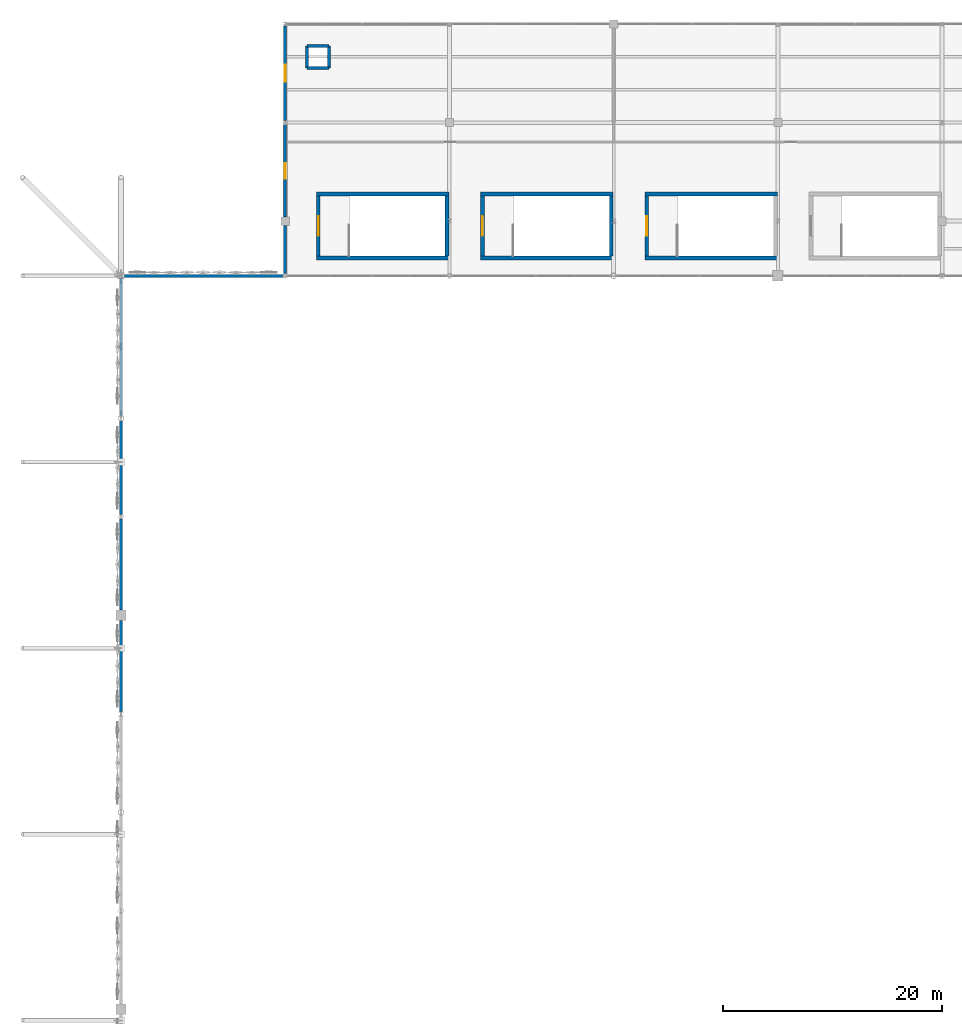
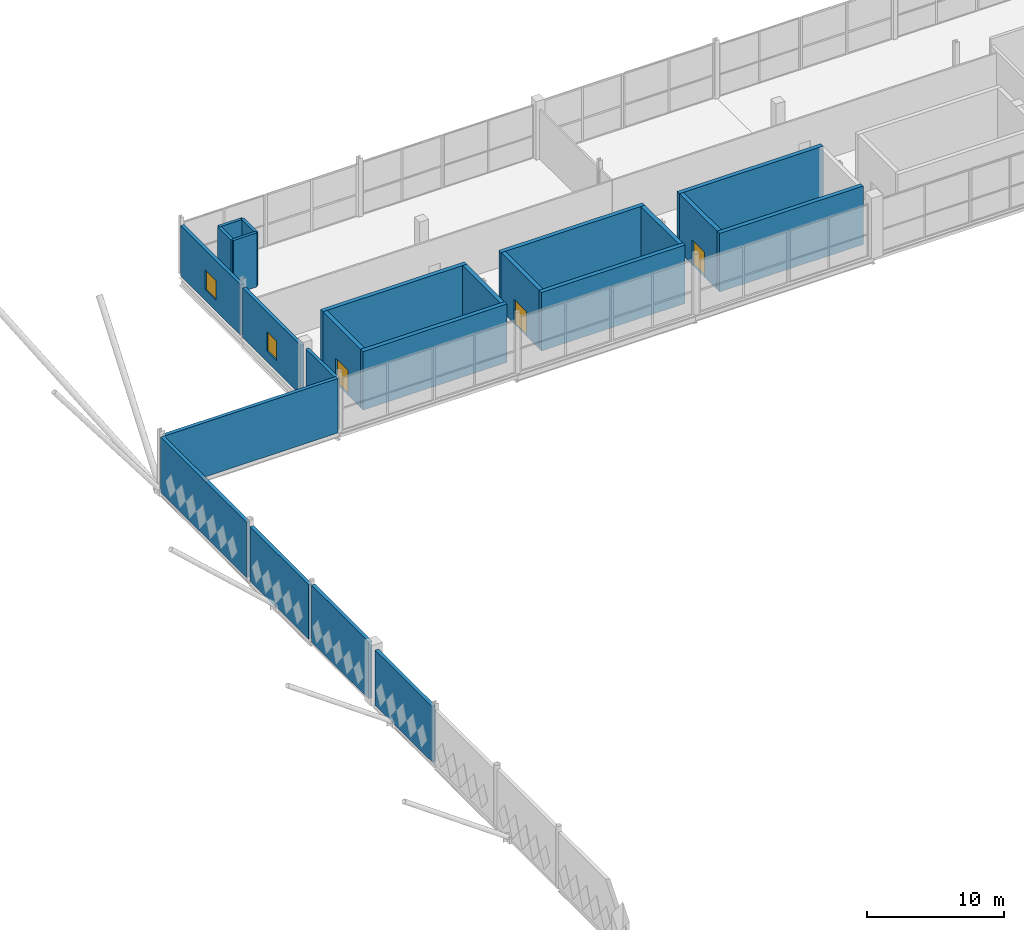
# One storey, part 88 of 119: 23 walls, 3 doors, 2 windows, 5 openings.
"""IFC4 building model written with IfcOpenShell, lengths in metres."""

from ifc_helpers import new_model, si_unit, direction, frame, frame_2d, origin, place, context, subcontext, project, spatial, rectangle, extrude, material, layer, layer_set, type_object, element, fill, save


model = new_model("IFC4")

# Units and contexts
model_context = context("Model", 3, precision=1e-05, world=origin(), true_north=direction((0.0, 1.0)))
body_context = subcontext(model_context, "Body", "Model", "MODEL_VIEW")
ifc_project = project(units=[si_unit("LENGTHUNIT", "METRE"), si_unit("AREAUNIT", "SQUARE_METRE"), si_unit("VOLUMEUNIT", "CUBIC_METRE"), si_unit("PLANEANGLEUNIT", "RADIAN"), si_unit("MASSUNIT", "GRAM", prefix="KILO")], contexts=[model_context])

# Site, building, storey
site_placement = place(None, origin())
site = spatial("IfcSite", under=ifc_project, at=site_placement, CompositionType="ELEMENT")
building_placement = place(site_placement, origin())
building = spatial("IfcBuilding", under=site, at=building_placement, Name="Qamarlyn Nura Convention Centre", CompositionType="ELEMENT")
storey_placement = place(building_placement, frame((0.0, 0.0, 5.39990234375)))
storey = spatial("IfcBuildingStorey", under=building, at=storey_placement, Name="L01", CompositionType="ELEMENT", Elevation=5.39990234375)

# Walls
ifc_material_1 = material(Name="Concrete C50/60", Category="concrete")
ifc_layer_1 = layer(ifc_material_1, 0.35009765625, Name="WT-CORE-350")
ifc_layer_set_1 = layer_set([ifc_layer_1], Name="Concrete C50/60")
wall_type_1 = type_object("IfcWallType", Name="WT-CORE-350", PredefinedType="SHEAR", material=ifc_layer_set_1)
for number, where, z_axis, x_axis, name in (
    (1, (17.85009765625, 104.625, 0.0), (0.0, 0.0, 1.0), (1.0, 0.0, 0.0), "L01 stair core shear wall ST-01-S"),
    (2, (29.949951171875, 110.47509765625, 0.0), (0.0, 0.0, 1.0), (-1.0, 0.0, 0.0), "L01 stair core shear wall ST-01-N"),
):
    element("IfcWall", number, at=place(storey_placement, frame(where, z_axis=z_axis, x_axis=x_axis)), inside=storey, type_object=wall_type_1, Name=name, PredefinedType="SHEAR", context=body_context, shape_type="SweptSolid", body=[
        extrude(rectangle(XDim=12.099853515625, YDim=0.35009765625, at=frame_2d((6.0498046875, 0.0))), origin(), (0.0, 0.0, 1.0), 5.205078125),
    ])

# Wall, opening, door
wall_1_placement = place(storey_placement, frame((18.02490234375, 110.300048828125, 0.0), z_axis=(0.0, 0.0, 1.0), x_axis=(0.0, -1.0, 0.0)))
wall_1 = element("IfcWall", 3, at=wall_1_placement, inside=storey, type_object=wall_type_1, Name="L01 stair core shear wall ST-01-W", PredefinedType="SHEAR", context=body_context, shape_type="SweptSolid", body=[
    extrude(rectangle(XDim=5.5, YDim=0.35009765625, at=frame_2d((2.75, 0.0))), origin(), (0.0, 0.0, 1.0), 5.205078125),
])
opening_1_placement = place(wall_1_placement, frame((1.85009765625, 0.0, 0.0)))
opening_1 = element("IfcOpeningElement", 4, at=opening_1_placement, cuts=wall_1, Name="Opening DS-003", PredefinedType="OPENING", context=body_context, shape_type="SweptSolid", body=[
    extrude(rectangle(XDim=1.800048828125, YDim=2.199951171875, at=frame_2d((0.89990234375, 1.10009765625))), frame((0.0, 0.18505859375, 0.0), z_axis=(0.0, -1.0, 0.0), x_axis=(1.0, 0.0, 0.0)), (0.0, 0.0, 1.0), 0.3701171875),
])
ifc_material_2 = material(Name="Galvanised fire-rated hollow steel door", Category="steel")
door_type = type_object("IfcDoorType", Name="DR-STAIR-1800", OperationType="DOUBLE_DOOR_SINGLE_SWING", PredefinedType="DOOR", material=ifc_material_2)
door_1_placement = place(opening_1_placement, origin())
door_1 = element("IfcDoor", 5, at=door_1_placement, inside=storey, type_object=door_type, Name="L01 exit stair door ST-01 (DS-003)", OperationType="DOUBLE_DOOR_SINGLE_SWING", OverallHeight=2.199951171875, OverallWidth=1.800048828125, PredefinedType="DOOR", context=body_context, shape_type="SweptSolid", body=[
    extrude(rectangle(XDim=1.800048828125, YDim=2.199951171875, at=frame_2d((0.89990234375, 1.10009765625))), frame((0.0, 0.02490234375, 0.0), z_axis=(0.0, -1.0, 0.0), x_axis=(1.0, 0.0, 0.0)), (0.0, 0.0, 1.0), 0.050048828125),
])
fill(opening_1, door_1)

# Walls
wall_2_placement = place(storey_placement, frame((29.77490234375, 104.800048828125, 0.0), z_axis=(0.0, 0.0, 1.0), x_axis=(0.0, 1.0, 0.0)))
element("IfcWall", 6, at=wall_2_placement, inside=storey, type_object=wall_type_1, Name="L01 stair core shear wall ST-01-E", PredefinedType="SHEAR", context=body_context, shape_type="SweptSolid", body=[
    extrude(rectangle(XDim=5.5, YDim=0.35009765625, at=frame_2d((2.75, 0.0))), origin(), (0.0, 0.0, 1.0), 5.205078125),
])
for number, where, z_axis, x_axis, name in (
    (7, (32.85009765625, 104.625, 0.0), (0.0, 0.0, 1.0), (1.0, 0.0, 0.0), "L01 stair core shear wall ST-02-S"),
    (8, (44.949951171875, 110.47509765625, 0.0), (0.0, 0.0, 1.0), (-1.0, 0.0, 0.0), "L01 stair core shear wall ST-02-N"),
):
    element("IfcWall", number, at=place(storey_placement, frame(where, z_axis=z_axis, x_axis=x_axis)), inside=storey, type_object=wall_type_1, Name=name, PredefinedType="SHEAR", context=body_context, shape_type="SweptSolid", body=[
        extrude(rectangle(XDim=12.099853515625, YDim=0.35009765625, at=frame_2d((6.0498046875, 0.0))), origin(), (0.0, 0.0, 1.0), 5.205078125),
    ])

# Wall, opening, door
wall_3_placement = place(storey_placement, frame((33.02490234375, 110.300048828125, 0.0), z_axis=(0.0, 0.0, 1.0), x_axis=(0.0, -1.0, 0.0)))
wall_3 = element("IfcWall", 9, at=wall_3_placement, inside=storey, type_object=wall_type_1, Name="L01 stair core shear wall ST-02-W", PredefinedType="SHEAR", context=body_context, shape_type="SweptSolid", body=[
    extrude(rectangle(XDim=5.5, YDim=0.35009765625, at=frame_2d((2.75, 0.0))), origin(), (0.0, 0.0, 1.0), 5.205078125),
])
opening_2_placement = place(wall_3_placement, frame((1.85009765625, 0.0, 0.0)))
opening_2 = element("IfcOpeningElement", 10, at=opening_2_placement, cuts=wall_3, Name="Opening DS-006", PredefinedType="OPENING", context=body_context, shape_type="SweptSolid", body=[
    extrude(rectangle(XDim=1.800048828125, YDim=2.199951171875, at=frame_2d((0.89990234375, 1.10009765625))), frame((0.0, 0.18505859375, 0.0), z_axis=(0.0, -1.0, 0.0), x_axis=(1.0, 0.0, 0.0)), (0.0, 0.0, 1.0), 0.3701171875),
])
door_2_placement = place(opening_2_placement, origin())
door_2 = element("IfcDoor", 11, at=door_2_placement, inside=storey, type_object=door_type, Name="L01 exit stair door ST-02 (DS-006)", OperationType="DOUBLE_DOOR_SINGLE_SWING", OverallHeight=2.199951171875, OverallWidth=1.800048828125, PredefinedType="DOOR", context=body_context, shape_type="SweptSolid", body=[
    extrude(rectangle(XDim=1.800048828125, YDim=2.199951171875, at=frame_2d((0.89990234375, 1.10009765625))), frame((0.0, 0.02490234375, 0.0), z_axis=(0.0, -1.0, 0.0), x_axis=(1.0, 0.0, 0.0)), (0.0, 0.0, 1.0), 0.050048828125),
])
fill(opening_2, door_2)

# Walls
wall_4_placement = place(storey_placement, frame((44.77490234375, 104.800048828125, 0.0), z_axis=(0.0, 0.0, 1.0), x_axis=(0.0, 1.0, 0.0)))
element("IfcWall", 12, at=wall_4_placement, inside=storey, type_object=wall_type_1, Name="L01 stair core shear wall ST-02-E", PredefinedType="SHEAR", context=body_context, shape_type="SweptSolid", body=[
    extrude(rectangle(XDim=5.5, YDim=0.35009765625, at=frame_2d((2.75, 0.0))), origin(), (0.0, 0.0, 1.0), 5.205078125),
])
for number, where, z_axis, x_axis, name in (
    (13, (47.85009765625, 104.625, 0.0), (0.0, 0.0, 1.0), (1.0, 0.0, 0.0), "L01 stair core shear wall ST-03-S"),
    (14, (59.949951171875, 110.47509765625, 0.0), (0.0, 0.0, 1.0), (-1.0, 0.0, 0.0), "L01 stair core shear wall ST-03-N"),
):
    element("IfcWall", number, at=place(storey_placement, frame(where, z_axis=z_axis, x_axis=x_axis)), inside=storey, type_object=wall_type_1, Name=name, PredefinedType="SHEAR", context=body_context, shape_type="SweptSolid", body=[
        extrude(rectangle(XDim=12.099853515625, YDim=0.35009765625, at=frame_2d((6.0498046875, 0.0))), origin(), (0.0, 0.0, 1.0), 5.205078125),
    ])

# Wall, opening, door
wall_5_placement = place(storey_placement, frame((48.02490234375, 110.300048828125, 0.0), z_axis=(0.0, 0.0, 1.0), x_axis=(0.0, -1.0, 0.0)))
wall_5 = element("IfcWall", 15, at=wall_5_placement, inside=storey, type_object=wall_type_1, Name="L01 stair core shear wall ST-03-W", PredefinedType="SHEAR", context=body_context, shape_type="SweptSolid", body=[
    extrude(rectangle(XDim=5.5, YDim=0.35009765625, at=frame_2d((2.75, 0.0))), origin(), (0.0, 0.0, 1.0), 5.205078125),
])
opening_3_placement = place(wall_5_placement, frame((1.85009765625, 0.0, 0.0)))
opening_3 = element("IfcOpeningElement", 16, at=opening_3_placement, cuts=wall_5, Name="Opening DS-009", PredefinedType="OPENING", context=body_context, shape_type="SweptSolid", body=[
    extrude(rectangle(XDim=1.800048828125, YDim=2.199951171875, at=frame_2d((0.89990234375, 1.10009765625))), frame((0.0, 0.18505859375, 0.0), z_axis=(0.0, -1.0, 0.0), x_axis=(1.0, 0.0, 0.0)), (0.0, 0.0, 1.0), 0.3701171875),
])
door_3_placement = place(opening_3_placement, origin())
door_3 = element("IfcDoor", 17, at=door_3_placement, inside=storey, type_object=door_type, Name="L01 exit stair door ST-03 (DS-009)", OperationType="DOUBLE_DOOR_SINGLE_SWING", OverallHeight=2.199951171875, OverallWidth=1.800048828125, PredefinedType="DOOR", context=body_context, shape_type="SweptSolid", body=[
    extrude(rectangle(XDim=1.800048828125, YDim=2.199951171875, at=frame_2d((0.89990234375, 1.10009765625))), frame((0.0, 0.02490234375, 0.0), z_axis=(0.0, -1.0, 0.0), x_axis=(1.0, 0.0, 0.0)), (0.0, 0.0, 1.0), 0.050048828125),
])
fill(opening_3, door_3)

# Wall
ifc_material_3 = material(Name="Concrete C40/50", Category="concrete")
ifc_layer_2 = layer(ifc_material_3, 0.280029296875, Name="WT-EXT-280")
ifc_layer_set_2 = layer_set([ifc_layer_2], Name="Concrete C40/50")
wall_type_2 = type_object("IfcWallType", Name="WT-EXT-280", PredefinedType="SOLIDWALL", material=ifc_layer_set_2)
wall_6_placement = place(storey_placement, frame((15.0, 103.203125, 0.0), z_axis=(0.0, 0.0, 1.0), x_axis=(0.0, 1.0, 0.0)))
element("IfcWall", 18, at=wall_6_placement, inside=storey, type_object=wall_type_2, Name="L01 exterior facade wall WEXT-L01-150-1032-150-1076", PredefinedType="SOLIDWALL", context=body_context, shape_type="SweptSolid", body=[
    extrude(rectangle(XDim=4.421875, YDim=0.280029296875, at=frame_2d((2.2109375, 0.0))), origin(), (0.0, 0.0, 1.0), 4.5791015625),
])

# Wall, opening, window
wall_7_placement = place(storey_placement, frame((15.0, 108.375, 0.0), z_axis=(0.0, 0.0, 1.0), x_axis=(0.0, 1.0, 0.0)))
wall_7 = element("IfcWall", 19, at=wall_7_placement, inside=storey, type_object=wall_type_2, Name="L01 exterior facade wall WEXT-L01-150-1084-150-1168", PredefinedType="SOLIDWALL", context=body_context, shape_type="SweptSolid", body=[
    extrude(rectangle(XDim=8.43896484375, YDim=0.280029296875, at=frame_2d((4.219482421875, 0.0))), origin(), (0.0, 0.0, 1.0), 4.4169921875),
])
opening_4_placement = place(wall_7_placement, frame((3.51953125, 0.0, 0.949951171875)))
opening_4 = element("IfcOpeningElement", 20, at=opening_4_placement, cuts=wall_7, Name="Opening WN01", PredefinedType="OPENING", context=body_context, shape_type="SweptSolid", body=[
    extrude(rectangle(XDim=1.39990234375, YDim=1.699951171875, at=frame_2d((0.699951171875, 0.85009765625))), frame((0.0, 0.14990234375, 0.0), z_axis=(0.0, -1.0, 0.0), x_axis=(1.0, 0.0, 0.0)), (0.0, 0.0, 1.0), 0.300048828125),
])
ifc_material_4 = material(Name="Double-silver low-E insulated glass", Category="glass")
window_type_1 = type_object("IfcWindowType", Name="WIN-SOL-01", PartitioningType="SINGLE_PANEL", PredefinedType="WINDOW", material=ifc_material_4)
window_1_placement = place(opening_4_placement, origin())
window_1 = element("IfcWindow", 21, at=window_1_placement, inside=storey, type_object=window_type_1, Name="L01 solar-control window 001", OverallHeight=1.699951171875, OverallWidth=1.39990234375, PartitioningType="SINGLE_PANEL", PredefinedType="WINDOW", context=body_context, shape_type="SweptSolid", body=[
    extrude(rectangle(XDim=1.39990234375, YDim=1.699951171875, at=frame_2d((0.699951171875, 0.85009765625))), frame((0.0, 0.030029296875, 0.0), z_axis=(0.0, -1.0, 0.0), x_axis=(1.0, 0.0, 0.0)), (0.0, 0.0, 1.0), 0.06005859375),
])
fill(opening_4, window_1)

wall_8_placement = place(storey_placement, frame((15.0, 117.18603515625, 0.0), z_axis=(0.0, 0.0, 1.0), x_axis=(0.0, 1.0, 0.0)))
wall_8 = element("IfcWall", 22, at=wall_8_placement, inside=storey, type_object=wall_type_2, Name="L01 exterior facade wall WEXT-L01-150-1172-150-1258", PredefinedType="SOLIDWALL", context=body_context, shape_type="SweptSolid", body=[
    extrude(rectangle(XDim=8.659912109375, YDim=0.280029296875, at=frame_2d((4.330078125, 0.0))), origin(), (0.0, 0.0, 1.0), 4.4951171875),
])
opening_5_placement = place(wall_8_placement, frame((3.554931640625, 0.0, 0.949951171875)))
opening_5 = element("IfcOpeningElement", 23, at=opening_5_placement, cuts=wall_8, Name="Opening WN02", PredefinedType="OPENING", context=body_context, shape_type="SweptSolid", body=[
    extrude(rectangle(XDim=1.550048828125, YDim=1.75, at=frame_2d((0.77490234375, 0.875))), frame((0.0, 0.14990234375, 0.0), z_axis=(0.0, -1.0, 0.0), x_axis=(1.0, 0.0, 0.0)), (0.0, 0.0, 1.0), 0.300048828125),
])
window_type_2 = type_object("IfcWindowType", Name="WIN-SOL-02", PartitioningType="SINGLE_PANEL", PredefinedType="WINDOW", material=ifc_material_4)
window_2_placement = place(opening_5_placement, origin())
window_2 = element("IfcWindow", 24, at=window_2_placement, inside=storey, type_object=window_type_2, Name="L01 solar-control window 002", OverallHeight=1.75, OverallWidth=1.550048828125, PartitioningType="SINGLE_PANEL", PredefinedType="WINDOW", context=body_context, shape_type="SweptSolid", body=[
    extrude(rectangle(XDim=1.550048828125, YDim=1.75, at=frame_2d((0.77490234375, 0.875))), frame((0.0, 0.030029296875, 0.0), z_axis=(0.0, -1.0, 0.0), x_axis=(1.0, 0.0, 0.0)), (0.0, 0.0, 1.0), 0.06005859375),
])
fill(opening_5, window_2)

# Walls
ifc_material_5 = material(Name="Concrete C40/50 with UAE coastal limestone stone facing", Category="masonry")
ifc_layer_3 = layer(ifc_material_5, 0.300048828125, Name="WT-LIME-300")
ifc_layer_set_3 = layer_set([ifc_layer_3], Name="Concrete C40/50 with UAE coastal limestone stone facing")
wall_type_3 = type_object("IfcWallType", Name="WT-LIME-300", PredefinedType="SOLIDWALL", material=ifc_layer_set_3)
wall_9_placement = place(storey_placement, frame((0.0, 63.21240234375, 0.0), z_axis=(0.0, 0.0, 1.0), x_axis=(0.0, 1.0, 0.0)))
element("IfcWall", 25, at=wall_9_placement, inside=storey, type_object=wall_type_3, Name="L01 exterior facade wall WEXT-L01-0-632-0-715", PredefinedType="SOLIDWALL", context=body_context, shape_type="SweptSolid", body=[
    extrude(rectangle(XDim=8.3125, YDim=0.300048828125, at=frame_2d((4.15625, 0.0))), origin(), (0.0, 0.0, 1.0), 4.919189453125),
])
wall_10_placement = place(storey_placement, frame((0.0, 72.47509765625, 0.0), z_axis=(0.0, 0.0, 1.0), x_axis=(0.0, 1.0, 0.0)))
element("IfcWall", 26, at=wall_10_placement, inside=storey, type_object=wall_type_3, Name="L01 exterior facade wall WEXT-L01-0-725-0-808", PredefinedType="SOLIDWALL", context=body_context, shape_type="SweptSolid", body=[
    extrude(rectangle(XDim=8.32177734375, YDim=0.300048828125, at=frame_2d((4.160888671875, 0.0))), origin(), (0.0, 0.0, 1.0), 5.085205078125),
])
wall_11_placement = place(storey_placement, frame((0.0, 81.203125, 0.0), z_axis=(0.0, 0.0, 1.0), x_axis=(0.0, 1.0, 0.0)))
element("IfcWall", 27, at=wall_11_placement, inside=storey, type_object=wall_type_3, Name="L01 exterior facade wall WEXT-L01-0-812-0-897", PredefinedType="SOLIDWALL", context=body_context, shape_type="SweptSolid", body=[
    extrude(rectangle(XDim=8.54296875, YDim=0.300048828125, at=frame_2d((4.271484375, 0.0))), origin(), (0.0, 0.0, 1.0), 4.84619140625),
])
wall_12_placement = place(storey_placement, frame((0.0, 90.25390625, 0.0), z_axis=(0.0, 0.0, 1.0), x_axis=(0.0, 1.0, 0.0)))
element("IfcWall", 28, at=wall_12_placement, inside=storey, type_object=wall_type_3, Name="L01 exterior facade wall WEXT-L01-0-903-0-1028", PredefinedType="SOLIDWALL", context=body_context, shape_type="SweptSolid", body=[
    extrude(rectangle(XDim=12.53369140625, YDim=0.300048828125, at=frame_2d((6.266845703125, 0.0))), origin(), (0.0, 0.0, 1.0), 4.919189453125),
])
wall_13_placement = place(storey_placement, frame((0.20458984375, 103.0, 0.0), z_axis=(0.0, 0.0, 1.0), x_axis=(1.0, 0.0, 0.0)))
element("IfcWall", 29, at=wall_13_placement, inside=storey, type_object=wall_type_3, Name="L01 exterior facade wall WEXT-L01-2-1030-148-1030", PredefinedType="SOLIDWALL", context=body_context, shape_type="SweptSolid", body=[
    extrude(rectangle(XDim=14.59228515625, YDim=0.300048828125, at=frame_2d((7.296142578125, 0.0))), origin(), (0.0, 0.0, 1.0), 4.84619140625),
])
ifc_material_6 = material(Name="Fire-rated acoustic gypsum board and mineral wool EI 120")
ifc_layer_4 = layer(ifc_material_6, 0.25, Name="WT-SHAFT-250")
ifc_layer_set_4 = layer_set([ifc_layer_4], Name="Fire-rated acoustic gypsum board and mineral wool EI 120")
wall_type_4 = type_object("IfcWallType", Name="WT-SHAFT-250", PredefinedType="SOLIDWALL", material=ifc_layer_set_4)
for number, where, z_axis, x_axis, name in (
    (30, (17.0, 122.0, 0.0), (0.0, 0.0, 1.0), (1.0, 0.0, 0.0), "L01 MEP riser shaft wall 18-S"),
    (31, (19.0, 124.0, 0.0), (0.0, 0.0, 1.0), (-1.0, 0.0, 0.0), "L01 MEP riser shaft wall 18-N"),
    (32, (17.0, 124.0, 0.0), (0.0, 0.0, 1.0), (0.0, -1.0, 0.0), "L01 MEP riser shaft wall 18-W"),
    (33, (19.0, 122.0, 0.0), (0.0, 0.0, 1.0), (0.0, 1.0, 0.0), "L01 MEP riser shaft wall 18-E"),
):
    element("IfcWall", number, at=place(storey_placement, frame(where, z_axis=z_axis, x_axis=x_axis)), inside=storey, type_object=wall_type_4, Name=name, PredefinedType="SOLIDWALL", context=body_context, shape_type="SweptSolid", body=[
        extrude(rectangle(XDim=2.0, YDim=0.25, at=frame_2d((1.0, 0.0))), origin(), (0.0, 0.0, 1.0), 4.81005859375),
    ])

save(model, "model.ifc")
